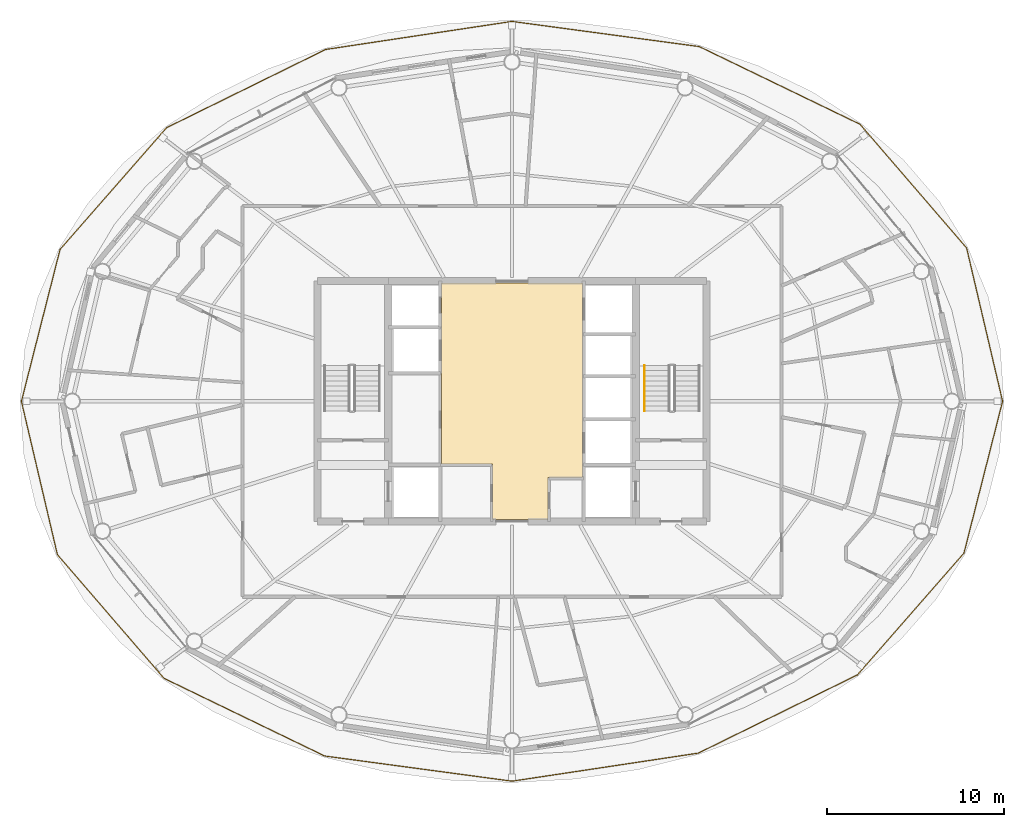
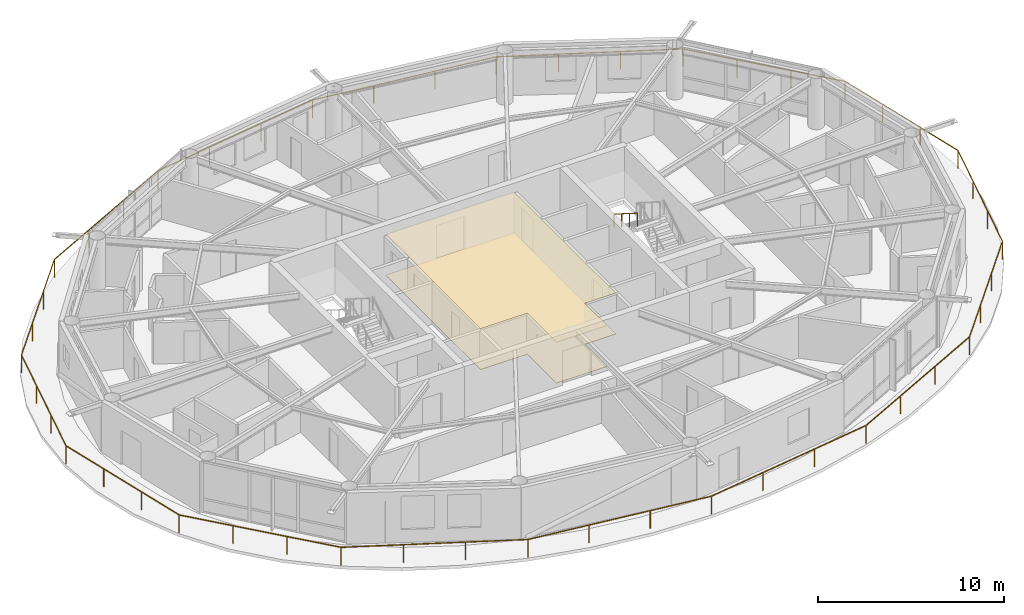
# One storey, part 21 of 22: 2 coverings, 2 railings.
"""IFC4 building model written with IfcOpenShell, lengths in metres."""

from ifc_helpers import new_model, si_unit, direction, frame, origin, origin_2d, place, context, subcontext, project, spatial, polyline, rectangle, outline, extrude, material, layer, layer_set, type_object, element, save


model = new_model("IFC4")

# Units and contexts
model_context = context("Model", 3, precision=1e-05, world=origin(), true_north=direction((0.0, 1.0)))
body_context = subcontext(model_context, "Body", "Model", "MODEL_VIEW")
ifc_project = project(units=[si_unit("LENGTHUNIT", "METRE"), si_unit("AREAUNIT", "SQUARE_METRE"), si_unit("VOLUMEUNIT", "CUBIC_METRE"), si_unit("PLANEANGLEUNIT", "RADIAN"), si_unit("MASSUNIT", "GRAM", prefix="KILO")], contexts=[model_context])

# Site, building, storey
site_placement = place(None, origin())
site = spatial("IfcSite", under=ifc_project, at=site_placement, CompositionType="ELEMENT")
building_placement = place(site_placement, origin())
building = spatial("IfcBuilding", under=site, at=building_placement, Name="Sarneth Arch Tower", CompositionType="ELEMENT")
storey_placement = place(building_placement, frame((0.0, 0.0, 213.60009765625)))
storey = spatial("IfcBuildingStorey", under=building, at=storey_placement, Name="L54", CompositionType="ELEMENT", Elevation=213.60009765625)

# Coverings
ifc_material_1 = material(Name="Perforated acoustic gypsum ceiling board")
ifc_layer_1 = layer(ifc_material_1, 0.02490234375)
ifc_layer_set_1 = layer_set([ifc_layer_1], Name="Perforated acoustic gypsum ceiling board")
covering_type_1 = type_object("IfcCoveringType", Name="COV-CEIL-GYP", PredefinedType="CEILING", material=ifc_layer_set_1)
covering_1_placement = place(storey_placement, frame((0.0, 0.0, 2.68994140625)))
element("IfcCovering", 1, at=covering_1_placement, inside=storey, type_object=covering_type_1, Name="L54 Lift lobby acoustic ceiling", PredefinedType="CEILING", context=body_context, shape_type="SweptSolid", body=[
    extrude(outline(polyline([(52.0, 37.699951171875), (50.050048828125, 37.699951171875), (50.050048828125, 35.300048828125), (46.89990234375, 35.300048828125), (46.89990234375, 38.449951171875), (44.0, 38.449951171875), (44.0, 48.699951171875), (52.0, 48.699951171875), (52.0, 37.699951171875)])), origin(), (0.0, 0.0, 1.0), 0.030029296875),
])
ifc_material_2 = material(Name="Honed granite stone flooring", Category="masonry")
ifc_layer_2 = layer(ifc_material_2, 0.030029296875)
ifc_layer_set_2 = layer_set([ifc_layer_2], Name="Honed granite stone flooring")
covering_type_2 = type_object("IfcCoveringType", Name="COV-FLR-STONE", PredefinedType="FLOORING", material=ifc_layer_set_2)
covering_2_placement = place(storey_placement, origin())
element("IfcCovering", 2, at=covering_2_placement, inside=storey, type_object=covering_type_2, Name="L54 Lift lobby granite flooring", PredefinedType="FLOORING", context=body_context, shape_type="SweptSolid", body=[
    extrude(outline(polyline([(52.0, 37.699951171875), (50.050048828125, 37.699951171875), (50.050048828125, 35.300048828125), (46.89990234375, 35.300048828125), (46.89990234375, 38.449951171875), (44.0, 38.449951171875), (44.0, 48.699951171875), (52.0, 48.699951171875), (52.0, 37.699951171875)])), origin(), (0.0, 0.0, 1.0), 0.02978515625),
])

# Railings
ifc_material_3 = material(Name="Laminated structural glass infill with Stainless Steel 316 top rail and posts", Category="steel")
railing_type_1 = type_object("IfcRailingType", Name="RAIL-BALC-1200", PredefinedType="BALUSTRADE", material=ifc_material_3)
railing_1_placement = place(storey_placement, frame((75.757080078125, 42.0, 0.0)))
element("IfcRailing", 3, at=railing_1_placement, inside=storey, type_object=railing_type_1, Name="L54 Helical balcony glass balustrade", PredefinedType="BALUSTRADE", context=body_context, shape_type="SweptSolid", body=[
    extrude(rectangle(XDim=0.048095703125, YDim=0.048095703125, at=origin_2d()), frame((0.0, 0.0, 1.17578125), z_axis=(-0.228468099339, 0.97355139956, 0.0), x_axis=(-0.97355139956, -0.228468099339, 0.0)), (0.0, 0.0, 1.0), 8.909912109375),
    extrude(rectangle(XDim=0.048095703125, YDim=0.048095703125, at=origin_2d()), frame((-2.03564453125, 8.67431640625, 1.17578125), z_axis=(-0.652825673648, 0.757508178059, 0.0), x_axis=(-0.757508178059, -0.652825673648, 0.0)), (0.0, 0.0, 1.0), 9.240234375),
    extrude(rectangle(XDim=0.048095703125, YDim=0.048095703125, at=origin_2d()), frame((-8.06787109375, 15.673828125, 1.17578125), z_axis=(-0.900341691611, 0.435183683458, 0.0), x_axis=(-0.435183683458, -0.900341691611, 0.0)), (0.0, 0.0, 1.0), 10.099853515625),
    extrude(rectangle(XDim=0.048095703125, YDim=0.048095703125, at=origin_2d()), frame((-17.1611328125, 20.069091796875, 1.17578125), z_axis=(-0.991083118086, 0.133245086381, 0.0), x_axis=(-0.133245086381, -0.991083118086, 0.0)), (0.0, 0.0, 1.0), 10.691162109375),
    extrude(rectangle(XDim=0.048095703125, YDim=0.048095703125, at=origin_2d()), frame((-27.757080078125, 21.49365234375, 1.17578125), z_axis=(-0.988837051018, -0.149000961519, 0.0), x_axis=(0.149000961519, -0.988837051018, 0.0)), (0.0, 0.0, 1.0), 10.66357421875),
    extrude(rectangle(XDim=0.048095703125, YDim=0.048095703125, at=origin_2d()), frame((-38.301513671875, 19.90478515625, 1.17578125), z_axis=(-0.897348859716, -0.441321905151, 0.0), x_axis=(0.441321905151, -0.897348859716, 0.0)), (0.0, 0.0, 1.0), 10.02783203125),
    extrude(rectangle(XDim=0.048095703125, YDim=0.048095703125, at=origin_2d()), frame((-47.300048828125, 15.479248046875, 1.17578125), z_axis=(-0.658521601301, -0.752561825115, 0.0), x_axis=(0.752561825115, -0.658521601301, 0.0)), (0.0, 0.0, 1.0), 9.154052734375),
    extrude(rectangle(XDim=0.048095703125, YDim=0.048095703125, at=origin_2d()), frame((-53.328125, 8.59033203125, 1.17578125), z_axis=(-0.246616259681, -0.969113213438, 0.0), x_axis=(0.969113213438, -0.246616259681, 0.0)), (0.0, 0.0, 1.0), 8.864013671875),
    extrude(rectangle(XDim=0.048095703125, YDim=0.048095703125, at=origin_2d()), frame((-55.51416015625, 0.0, 1.17578125), z_axis=(0.228468099339, -0.97355139956, 0.0), x_axis=(0.97355139956, 0.228468099339, 0.0)), (0.0, 0.0, 1.0), 8.909912109375),
    extrude(rectangle(XDim=0.048095703125, YDim=0.048095703125, at=origin_2d()), frame((-53.478515625, -8.67431640625, 1.17578125), z_axis=(0.652825673648, -0.757508178059, 0.0), x_axis=(0.757508178059, 0.652825673648, 0.0)), (0.0, 0.0, 1.0), 9.240234375),
    extrude(rectangle(XDim=0.048095703125, YDim=0.048095703125, at=origin_2d()), frame((-47.4462890625, -15.673828125, 1.17578125), z_axis=(0.900341691611, -0.435183683458, 0.0), x_axis=(0.435183683458, 0.900341691611, 0.0)), (0.0, 0.0, 1.0), 10.099853515625),
    extrude(rectangle(XDim=0.048095703125, YDim=0.048095703125, at=origin_2d()), frame((-38.35302734375, -20.069091796875, 1.17578125), z_axis=(0.991083118086, -0.133245086381, 0.0), x_axis=(0.133245086381, 0.991083118086, 0.0)), (0.0, 0.0, 1.0), 10.691162109375),
    extrude(rectangle(XDim=0.048095703125, YDim=0.048095703125, at=origin_2d()), frame((-27.757080078125, -21.49365234375, 1.17578125), z_axis=(0.988837051018, 0.149000961519, 0.0), x_axis=(-0.149000961519, 0.988837051018, 0.0)), (0.0, 0.0, 1.0), 10.66357421875),
    extrude(rectangle(XDim=0.048095703125, YDim=0.048095703125, at=origin_2d()), frame((-17.212646484375, -19.90478515625, 1.17578125), z_axis=(0.897348859716, 0.441321905151, 0.0), x_axis=(-0.441321905151, 0.897348859716, 0.0)), (0.0, 0.0, 1.0), 10.02783203125),
    extrude(rectangle(XDim=0.048095703125, YDim=0.048095703125, at=origin_2d()), frame((-8.214111328125, -15.479248046875, 1.17578125), z_axis=(0.658521601301, 0.752561825115, 0.0), x_axis=(-0.752561825115, 0.658521601301, 0.0)), (0.0, 0.0, 1.0), 9.154052734375),
    extrude(rectangle(XDim=0.048095703125, YDim=0.048095703125, at=origin_2d()), frame((-2.18603515625, -8.59033203125, 1.17578125), z_axis=(0.246616259681, 0.969113213438, 0.0), x_axis=(-0.969113213438, 0.246616259681, 0.0)), (0.0, 0.0, 1.0), 8.864013671875),
    extrude(rectangle(XDim=0.0419921875, YDim=0.0419921875, at=origin_2d()), origin(), (0.0, 0.0, 1.0), 1.15185546875),
    extrude(rectangle(XDim=0.0419921875, YDim=0.0419921875, at=origin_2d()), frame((-0.678466796875, 2.891357421875, 0.0)), (0.0, 0.0, 1.0), 1.15185546875),
    extrude(rectangle(XDim=0.0419921875, YDim=0.0419921875, at=origin_2d()), frame((-1.357177734375, 5.782958984375, 0.0)), (0.0, 0.0, 1.0), 1.15185546875),
    extrude(rectangle(XDim=0.0419921875, YDim=0.0419921875, at=origin_2d()), frame((-2.03564453125, 8.67431640625, 0.0)), (0.0, 0.0, 1.0), 1.15185546875),
    extrude(rectangle(XDim=0.0419921875, YDim=0.0419921875, at=origin_2d()), frame((-4.04638671875, 11.007568359375, 0.0)), (0.0, 0.0, 1.0), 1.15185546875),
    extrude(rectangle(XDim=0.0419921875, YDim=0.0419921875, at=origin_2d()), frame((-6.05712890625, 13.340576171875, 0.0)), (0.0, 0.0, 1.0), 1.15185546875),
    extrude(rectangle(XDim=0.0419921875, YDim=0.0419921875, at=origin_2d()), frame((-8.06787109375, 15.673828125, 0.0)), (0.0, 0.0, 1.0), 1.15185546875),
    extrude(rectangle(XDim=0.0419921875, YDim=0.0419921875, at=origin_2d()), frame((-11.098876953125, 17.138916015625, 0.0)), (0.0, 0.0, 1.0), 1.15185546875),
    extrude(rectangle(XDim=0.0419921875, YDim=0.0419921875, at=origin_2d()), frame((-14.130126953125, 18.60400390625, 0.0)), (0.0, 0.0, 1.0), 1.15185546875),
    extrude(rectangle(XDim=0.0419921875, YDim=0.0419921875, at=origin_2d()), frame((-17.1611328125, 20.069091796875, 0.0)), (0.0, 0.0, 1.0), 1.15185546875),
    extrude(rectangle(XDim=0.0419921875, YDim=0.0419921875, at=origin_2d()), frame((-20.693115234375, 20.5439453125, 0.0)), (0.0, 0.0, 1.0), 1.15185546875),
    extrude(rectangle(XDim=0.0419921875, YDim=0.0419921875, at=origin_2d()), frame((-24.22509765625, 21.018798828125, 0.0)), (0.0, 0.0, 1.0), 1.15185546875),
    extrude(rectangle(XDim=0.0419921875, YDim=0.0419921875, at=origin_2d()), frame((-27.757080078125, 21.49365234375, 0.0)), (0.0, 0.0, 1.0), 1.15185546875),
    extrude(rectangle(XDim=0.0419921875, YDim=0.0419921875, at=origin_2d()), frame((-31.27197265625, 20.964111328125, 0.0)), (0.0, 0.0, 1.0), 1.15185546875),
    extrude(rectangle(XDim=0.0419921875, YDim=0.0419921875, at=origin_2d()), frame((-34.78662109375, 20.434326171875, 0.0)), (0.0, 0.0, 1.0), 1.15185546875),
    extrude(rectangle(XDim=0.0419921875, YDim=0.0419921875, at=origin_2d()), frame((-38.301513671875, 19.90478515625, 0.0)), (0.0, 0.0, 1.0), 1.15185546875),
    extrude(rectangle(XDim=0.0419921875, YDim=0.0419921875, at=origin_2d()), frame((-41.301025390625, 18.4296875, 0.0)), (0.0, 0.0, 1.0), 1.15185546875),
    extrude(rectangle(XDim=0.0419921875, YDim=0.0419921875, at=origin_2d()), frame((-44.300537109375, 16.954345703125, 0.0)), (0.0, 0.0, 1.0), 1.15185546875),
    extrude(rectangle(XDim=0.0419921875, YDim=0.0419921875, at=origin_2d()), frame((-47.300048828125, 15.479248046875, 0.0)), (0.0, 0.0, 1.0), 1.15185546875),
    extrude(rectangle(XDim=0.0419921875, YDim=0.0419921875, at=origin_2d()), frame((-49.309326171875, 13.182861328125, 0.0)), (0.0, 0.0, 1.0), 1.15185546875),
    extrude(rectangle(XDim=0.0419921875, YDim=0.0419921875, at=origin_2d()), frame((-51.31884765625, 10.88671875, 0.0)), (0.0, 0.0, 1.0), 1.15185546875),
    extrude(rectangle(XDim=0.0419921875, YDim=0.0419921875, at=origin_2d()), frame((-53.328125, 8.59033203125, 0.0)), (0.0, 0.0, 1.0), 1.15185546875),
    extrude(rectangle(XDim=0.0419921875, YDim=0.0419921875, at=origin_2d()), frame((-54.056884765625, 5.726806640625, 0.0)), (0.0, 0.0, 1.0), 1.15185546875),
    extrude(rectangle(XDim=0.0419921875, YDim=0.0419921875, at=origin_2d()), frame((-54.785400390625, 2.863525390625, 0.0)), (0.0, 0.0, 1.0), 1.15185546875),
    extrude(rectangle(XDim=0.0419921875, YDim=0.0419921875, at=origin_2d()), frame((-55.51416015625, 0.0, 0.0)), (0.0, 0.0, 1.0), 1.15185546875),
    extrude(rectangle(XDim=0.0419921875, YDim=0.0419921875, at=origin_2d()), frame((-54.835693359375, -2.891357421875, 0.0)), (0.0, 0.0, 1.0), 1.15185546875),
    extrude(rectangle(XDim=0.0419921875, YDim=0.0419921875, at=origin_2d()), frame((-54.156982421875, -5.782958984375, 0.0)), (0.0, 0.0, 1.0), 1.15185546875),
    extrude(rectangle(XDim=0.0419921875, YDim=0.0419921875, at=origin_2d()), frame((-53.478515625, -8.67431640625, 0.0)), (0.0, 0.0, 1.0), 1.15185546875),
    extrude(rectangle(XDim=0.0419921875, YDim=0.0419921875, at=origin_2d()), frame((-51.4677734375, -11.007568359375, 0.0)), (0.0, 0.0, 1.0), 1.15185546875),
    extrude(rectangle(XDim=0.0419921875, YDim=0.0419921875, at=origin_2d()), frame((-49.45703125, -13.340576171875, 0.0)), (0.0, 0.0, 1.0), 1.15185546875),
    extrude(rectangle(XDim=0.0419921875, YDim=0.0419921875, at=origin_2d()), frame((-47.4462890625, -15.673828125, 0.0)), (0.0, 0.0, 1.0), 1.15185546875),
    extrude(rectangle(XDim=0.0419921875, YDim=0.0419921875, at=origin_2d()), frame((-44.415283203125, -17.138916015625, 0.0)), (0.0, 0.0, 1.0), 1.15185546875),
    extrude(rectangle(XDim=0.0419921875, YDim=0.0419921875, at=origin_2d()), frame((-41.384033203125, -18.60400390625, 0.0)), (0.0, 0.0, 1.0), 1.15185546875),
    extrude(rectangle(XDim=0.0419921875, YDim=0.0419921875, at=origin_2d()), frame((-38.35302734375, -20.069091796875, 0.0)), (0.0, 0.0, 1.0), 1.15185546875),
    extrude(rectangle(XDim=0.0419921875, YDim=0.0419921875, at=origin_2d()), frame((-34.821044921875, -20.5439453125, 0.0)), (0.0, 0.0, 1.0), 1.15185546875),
    extrude(rectangle(XDim=0.0419921875, YDim=0.0419921875, at=origin_2d()), frame((-31.2890625, -21.018798828125, 0.0)), (0.0, 0.0, 1.0), 1.15185546875),
    extrude(rectangle(XDim=0.0419921875, YDim=0.0419921875, at=origin_2d()), frame((-27.757080078125, -21.49365234375, 0.0)), (0.0, 0.0, 1.0), 1.15185546875),
    extrude(rectangle(XDim=0.0419921875, YDim=0.0419921875, at=origin_2d()), frame((-24.2421875, -20.964111328125, 0.0)), (0.0, 0.0, 1.0), 1.15185546875),
    extrude(rectangle(XDim=0.0419921875, YDim=0.0419921875, at=origin_2d()), frame((-20.7275390625, -20.434326171875, 0.0)), (0.0, 0.0, 1.0), 1.15185546875),
    extrude(rectangle(XDim=0.0419921875, YDim=0.0419921875, at=origin_2d()), frame((-17.212646484375, -19.90478515625, 0.0)), (0.0, 0.0, 1.0), 1.15185546875),
    extrude(rectangle(XDim=0.0419921875, YDim=0.0419921875, at=origin_2d()), frame((-14.213134765625, -18.4296875, 0.0)), (0.0, 0.0, 1.0), 1.15185546875),
    extrude(rectangle(XDim=0.0419921875, YDim=0.0419921875, at=origin_2d()), frame((-11.213623046875, -16.954345703125, 0.0)), (0.0, 0.0, 1.0), 1.15185546875),
    extrude(rectangle(XDim=0.0419921875, YDim=0.0419921875, at=origin_2d()), frame((-8.214111328125, -15.479248046875, 0.0)), (0.0, 0.0, 1.0), 1.15185546875),
    extrude(rectangle(XDim=0.0419921875, YDim=0.0419921875, at=origin_2d()), frame((-6.204833984375, -13.182861328125, 0.0)), (0.0, 0.0, 1.0), 1.15185546875),
    extrude(rectangle(XDim=0.0419921875, YDim=0.0419921875, at=origin_2d()), frame((-4.1953125, -10.88671875, 0.0)), (0.0, 0.0, 1.0), 1.15185546875),
    extrude(rectangle(XDim=0.0419921875, YDim=0.0419921875, at=origin_2d()), frame((-2.18603515625, -8.59033203125, 0.0)), (0.0, 0.0, 1.0), 1.15185546875),
    extrude(rectangle(XDim=0.0419921875, YDim=0.0419921875, at=origin_2d()), frame((-1.457275390625, -5.726806640625, 0.0)), (0.0, 0.0, 1.0), 1.15185546875),
    extrude(rectangle(XDim=0.0419921875, YDim=0.0419921875, at=origin_2d()), frame((-0.728759765625, -2.863525390625, 0.0)), (0.0, 0.0, 1.0), 1.15185546875),
])
ifc_material_4 = material(Name="Brushed Stainless Steel 304 tubular handrail", Category="steel")
railing_type_2 = type_object("IfcRailingType", Name="RAIL-HANDRAIL-900", PredefinedType="HANDRAIL", material=ifc_material_4)
railing_2_placement = place(storey_placement, frame((55.5, 44.014892578125, 1.97998046875)))
element("IfcRailing", 4, at=railing_2_placement, inside=storey, type_object=railing_type_2, Name="L54 ST-2 stair handrail 2", PredefinedType="HANDRAIL", context=body_context, shape_type="SweptSolid", body=[
    extrude(rectangle(XDim=0.048095703125, YDim=0.048095703125, at=origin_2d()), frame((0.0, 0.0, 0.8759765625), z_axis=(0.0, -0.845502289212, 0.533971796014), x_axis=(1.0, 0.0, 0.0)), (0.0, 0.0, 1.0), 3.03369140625),
    extrude(rectangle(XDim=0.0419921875, YDim=0.0419921875, at=origin_2d()), origin(), (0.0, 0.0, 1.0), 0.851806640625),
    extrude(rectangle(XDim=0.0419921875, YDim=0.0419921875, at=origin_2d()), frame((0.0, -0.85498046875, 0.5400390625)), (0.0, 0.0, 1.0), 0.851806640625),
    extrude(rectangle(XDim=0.0419921875, YDim=0.0419921875, at=origin_2d()), frame((0.0, -1.7099609375, 1.079833984375)), (0.0, 0.0, 1.0), 0.851806640625),
    extrude(rectangle(XDim=0.0419921875, YDim=0.0419921875, at=origin_2d()), frame((0.0, -2.56494140625, 1.619873046875)), (0.0, 0.0, 1.0), 0.851806640625),
])

save(model, "model.ifc")
